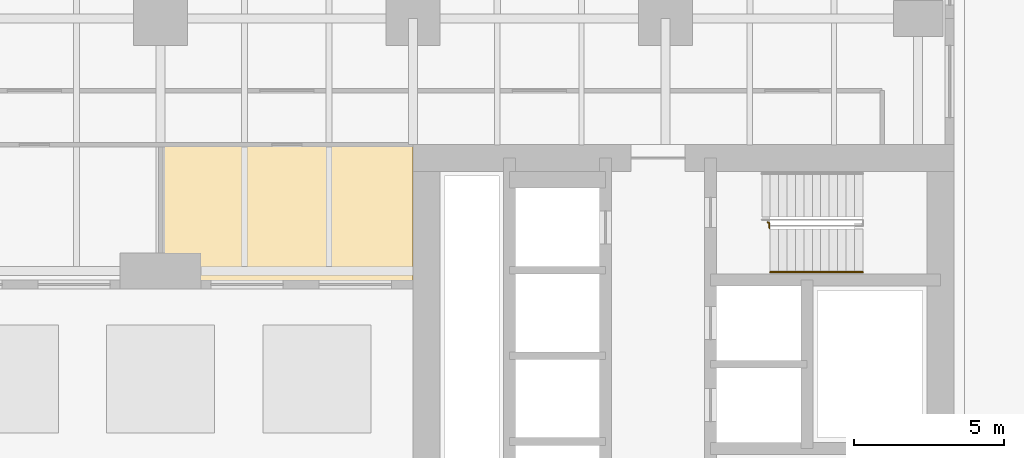
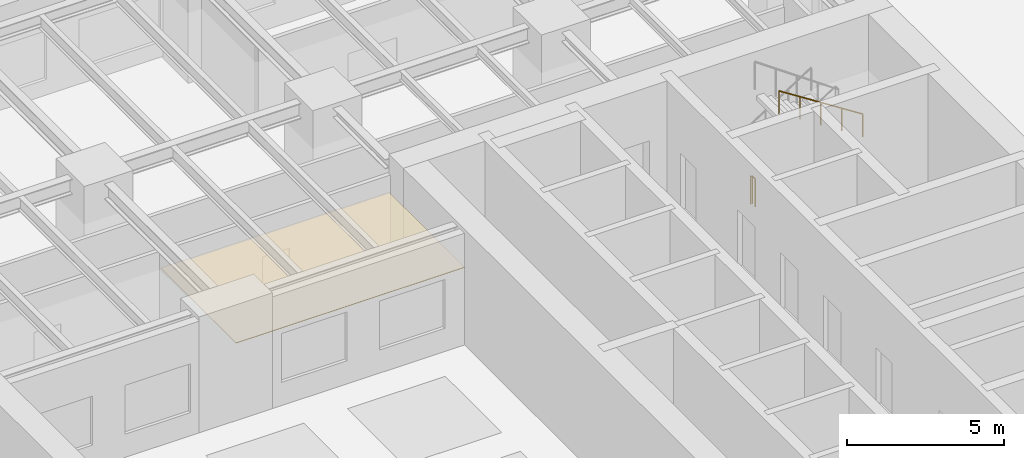
# One storey, part 16 of 17: 2 railings, 1 covering.
"""IFC4 building model written with IfcOpenShell, lengths in metres."""

from ifc_helpers import new_model, si_unit, direction, frame, origin, origin_2d, place, context, subcontext, project, spatial, polyline, circle, outline, extrude, material, layer, layer_set, type_object, element, save


model = new_model("IFC4")

# Units and contexts
model_context = context("Model", 3, precision=1e-05, world=origin(), true_north=direction((0.0, 1.0)))
body_context = subcontext(model_context, "Body", "Model", "MODEL_VIEW")
ifc_project = project(units=[si_unit("LENGTHUNIT", "METRE"), si_unit("AREAUNIT", "SQUARE_METRE"), si_unit("VOLUMEUNIT", "CUBIC_METRE"), si_unit("PLANEANGLEUNIT", "RADIAN"), si_unit("MASSUNIT", "GRAM", prefix="KILO")], contexts=[model_context])

# Site, building, storey
site_placement = place(None, origin())
site = spatial("IfcSite", under=ifc_project, at=site_placement, CompositionType="ELEMENT")
building_placement = place(site_placement, origin())
building = spatial("IfcBuilding", under=site, at=building_placement, Name="Claustro Exchange Tower", CompositionType="ELEMENT")
storey_placement = place(building_placement, frame((0.0, 0.0, 18.89990234375)))
storey = spatial("IfcBuildingStorey", under=building, at=storey_placement, Name="L04", CompositionType="ELEMENT", Elevation=18.89990234375)

# Covering
ifc_material_1 = material(Name="Gypsum board ceiling", Category="gypsum board")
ifc_layer = layer(ifc_material_1, 0.02490234375)
ifc_layer_set = layer_set([ifc_layer], Name="Gypsum board ceiling")
covering_type = type_object("IfcCoveringType", Name="CL2 plasterboard ceiling", PredefinedType="CEILING", material=ifc_layer_set)
covering_placement = place(storey_placement, frame((0.0, 0.0, 3.0)))
element("IfcCovering", 1, at=covering_placement, inside=storey, type_object=covering_type, Name="Ceiling CL2 L04-12", PredefinedType="CEILING", context=body_context, shape_type="SweptSolid", body=[
    extrude(outline(polyline([(33.60009765625, 33.0), (33.60009765625, 37.800048828125), (25.199951171875, 37.800048828125), (25.199951171875, 33.0), (33.60009765625, 33.0)])), origin(), (0.0, 0.0, 1.0), 0.025146484375),
])

# Railings
ifc_material_2 = material(Name="Steel balustrade, painted", Category="steel")
railing_type_1 = type_object("IfcRailingType", Name="GR2 1100 steel stair guard", PredefinedType="GUARDRAIL", material=ifc_material_2)
railing_1_placement = place(storey_placement, frame((45.39990234375, 35.22998046875, 0.0)))
element("IfcRailing", 2, at=railing_1_placement, inside=storey, type_object=railing_type_1, Name="Stair guard GR2 STEB L04", PredefinedType="GUARDRAIL", context=body_context, shape_type="SweptSolid", body=[
    extrude(circle(Radius=0.02392578125, at=origin_2d()), frame((0.0, 0.0, 1.076171875), z_axis=(0.0, -1.0, 0.0), x_axis=(1.0, 0.0, 0.0)), (0.0, 0.0, 1.0), 0.030029296875),
    extrude(circle(Radius=0.02392578125, at=origin_2d()), frame((0.0, -0.030029296875, 1.076171875), z_axis=(1.0, 0.0, 0.0), x_axis=(0.0, 1.0, 0.0)), (0.0, 0.0, 1.0), 0.05517578125),
    extrude(circle(Radius=0.02392578125, at=origin_2d()), frame((0.05517578125, -0.030029296875, 1.076171875), z_axis=(0.0, -1.0, 0.0), x_axis=(1.0, 0.0, 0.0)), (0.0, 0.0, 1.0), 0.179931640625),
    extrude(circle(Radius=0.02099609375, at=origin_2d()), origin(), (0.0, 0.0, 1.0), 1.052001953125),
    extrude(circle(Radius=0.02099609375, at=origin_2d()), frame((0.0, -0.030029296875, 0.0)), (0.0, 0.0, 1.0), 1.052001953125),
    extrude(circle(Radius=0.02099609375, at=origin_2d()), frame((0.05517578125, -0.030029296875, 0.0)), (0.0, 0.0, 1.0), 1.052001953125),
    extrude(circle(Radius=0.02099609375, at=origin_2d()), frame((0.05517578125, -0.2099609375, 0.0)), (0.0, 0.0, 1.0), 1.052001953125),
])
ifc_material_3 = material(Name="Stainless steel tube", Category="steel")
railing_type_2 = type_object("IfcRailingType", Name="HR1 900 stair handrail", PredefinedType="HANDRAIL", material=ifc_material_3)
railing_2_placement = place(storey_placement, frame((48.56005859375, 33.56005859375, 2.52001953125)))
element("IfcRailing", 3, at=railing_2_placement, inside=storey, type_object=railing_type_2, Name="Handrail HR1 stair STEB L04", PredefinedType="HANDRAIL", context=body_context, shape_type="SweptSolid", body=[
    extrude(circle(Radius=0.02392578125, at=origin_2d()), frame((0.0, 0.0, 0.8759765625), z_axis=(-0.84118714077, 0.0, 0.540744111576), x_axis=(0.0, -1.0, 0.0)), (0.0, 0.0, 1.0), 3.66162109375),
    extrude(circle(Radius=0.02099609375, at=origin_2d()), origin(), (0.0, 0.0, 1.0), 0.851806640625),
    extrude(circle(Radius=0.02099609375, at=origin_2d()), frame((-0.77001953125, 0.0, 0.4951171875)), (0.0, 0.0, 1.0), 0.851806640625),
    extrude(circle(Radius=0.02099609375, at=origin_2d()), frame((-1.5400390625, 0.0, 0.989990234375)), (0.0, 0.0, 1.0), 0.851806640625),
    extrude(circle(Radius=0.02099609375, at=origin_2d()), frame((-2.31005859375, 0.0, 1.48486328125)), (0.0, 0.0, 1.0), 0.851806640625),
    extrude(circle(Radius=0.02099609375, at=origin_2d()), frame((-3.080078125, 0.0, 1.97998046875)), (0.0, 0.0, 1.0), 0.851806640625),
])

save(model, "model.ifc")
